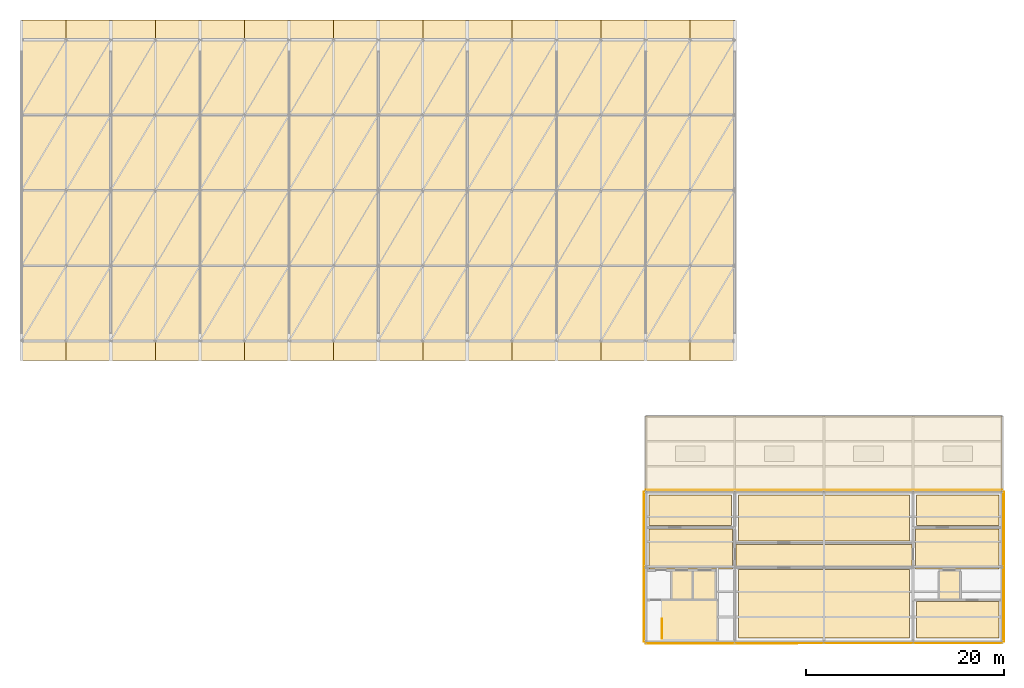
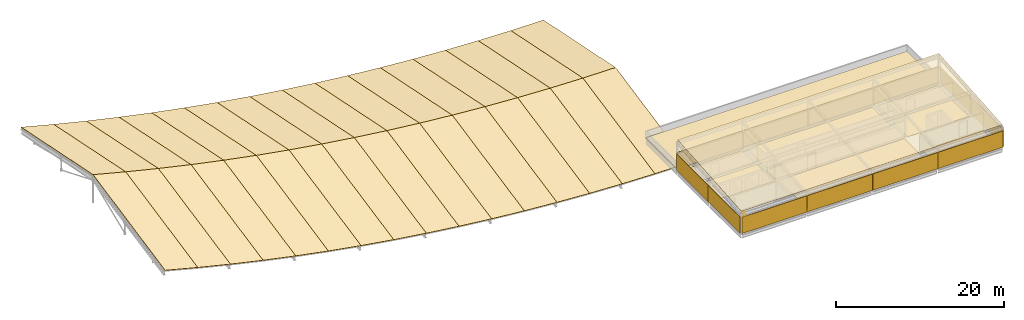
# One storey, part 21 of 21: 54 coverings, 1 railing, 1 element without a shape of its own.
"""IFC4 building model written with IfcOpenShell, lengths in metres."""

import ifcopenshell
import ifcopenshell.guid

model = None  # the IFC model being written
_history = None  # IfcOwnerHistory: only IFC2X3 demands one
_inside = {}  # id of a spatial element -> (the spatial element, [elements in it])
_under = {}  # id of a project, library or spatial element -> (it, [spatial elements below it])
_declared = {}  # id of a project -> (the project, [libraries it declares])
_typed = {}  # id of a type object -> (the type object, [elements of that type])
_made_of = {}  # id of a material, layer set ... -> (it, [elements and type objects made of it])


def new_model(schema):
    """Start an empty IFC model of exactly this schema.

    Asked for "IFC4X3", IfcOpenShell would pick the latest addendum, in which some entities
    have other attributes; the version numbers below select the first issue.
    IFC2X3 requires an IfcOwnerHistory on every rooted entity: one is made here for all.
    """
    global model, _history
    if schema == "IFC4X3":
        model = ifcopenshell.file(schema_version=(4, 3, 0, 0))
    else:
        model = ifcopenshell.file(schema=schema)
    _inside.clear()
    _under.clear()
    _declared.clear()
    _typed.clear()
    _made_of.clear()
    _history = None
    if model.schema == "IFC2X3":
        org = make("IfcOrganization", Name="unknown")
        user = make(
            "IfcPersonAndOrganization",
            ThePerson=make("IfcPerson", FamilyName="unknown"),
            TheOrganization=org,
        )
        app = make(
            "IfcApplication",
            ApplicationDeveloper=org,
            Version="unknown",
            ApplicationFullName="unknown",
            ApplicationIdentifier="unknown",
        )
        _history = make(
            "IfcOwnerHistory",
            OwningUser=user,
            OwningApplication=app,
            ChangeAction="ADDED",
            CreationDate=0,
        )
    return model


def make(cls, **values):
    """One entity of the class cls with the attributes given. An attribute that is None is left unset."""
    return model.create_entity(
        cls, **{name: value for name, value in values.items() if value is not None}
    )


def rooted(cls, **values):
    """An entity with a GlobalId (a new one), such as an element, a storey or a relation."""
    return make(cls, GlobalId=ifcopenshell.guid.new(), OwnerHistory=_history, **values)


def si_unit(unit_type, name, prefix=None):
    """IfcSIUnit, for example si_unit("LENGTHUNIT", "METRE", prefix="MILLI")."""
    return make("IfcSIUnit", UnitType=unit_type, Prefix=prefix, Name=name)


def assignment(units):
    """IfcUnitAssignment: the units of a project."""
    return None if units is None else make("IfcUnitAssignment", Units=units)


def point(xyz):
    """IfcCartesianPoint."""
    return None if xyz is None else make("IfcCartesianPoint", Coordinates=xyz)


def direction(xyz):
    """IfcDirection."""
    return None if xyz is None else make("IfcDirection", DirectionRatios=xyz)


def frame(location, z_axis=None, x_axis=None):
    """IfcAxis2Placement3D, a coordinate frame: its origin and axes. An axis left out is left unset."""
    return make(
        "IfcAxis2Placement3D",
        Location=point(location),
        Axis=direction(z_axis),
        RefDirection=direction(x_axis),
    )


def frame_2d(location, x_axis=None):
    """IfcAxis2Placement2D, a coordinate frame in the plane: its origin and x axis."""
    return make(
        "IfcAxis2Placement2D", Location=point(location), RefDirection=direction(x_axis)
    )


def origin():
    """The frame at (0, 0, 0) with its axes left unset."""
    return frame((0.0, 0.0, 0.0))


def origin_2d():
    """The frame at (0, 0) in the plane with its x axis left unset."""
    return frame_2d((0.0, 0.0))


def place(relative_to, where):
    """IfcLocalPlacement: puts the frame where relative to a parent placement (None: the world)."""
    return make(
        "IfcLocalPlacement", PlacementRelTo=relative_to, RelativePlacement=where
    )


def context(
    kind, dimensions, precision=None, world=None, true_north=None, identifier=None
):
    """IfcGeometricRepresentationContext, for example the 3D "Model" context."""
    return make(
        "IfcGeometricRepresentationContext",
        ContextIdentifier=identifier,
        ContextType=kind,
        CoordinateSpaceDimension=dimensions,
        Precision=precision,
        WorldCoordinateSystem=world,
        TrueNorth=true_north,
    )


def subcontext(parent, identifier, kind, view, scale=None):
    """IfcGeometricRepresentationSubContext, for example "Body" below "Model"."""
    return make(
        "IfcGeometricRepresentationSubContext",
        ContextIdentifier=identifier,
        ContextType=kind,
        ParentContext=parent,
        TargetScale=scale,
        TargetView=view,
    )


def project(units=None, contexts=None):
    """IfcProject with its units and contexts."""
    return rooted(
        "IfcProject",
        Name="project",
        RepresentationContexts=contexts,
        UnitsInContext=assignment(units),
    )


def spatial(cls, under=None, at=None, **own):
    """A site, building, storey or space (cls), placed at a placement, below another one or the project."""
    s = rooted(cls, ObjectPlacement=at, **own)
    if under is not None:
        _under.setdefault(under.id(), (under, []))[1].append(s)
    return s


def polyline(points):
    """IfcPolyline through the points."""
    return make("IfcPolyline", Points=[point(p) for p in points])


def profile(cls, at=None, kind="AREA", **sizes):
    """A parametric profile (cls). Its sizes go by their IFC names, for example OverallWidth=200.0."""
    return make(cls, ProfileType=kind, Position=at, **sizes)


def rectangle(**sizes):
    """IfcRectangleProfileDef."""
    return profile("IfcRectangleProfileDef", **sizes)


def circle(**sizes):
    """IfcCircleProfileDef."""
    return profile("IfcCircleProfileDef", **sizes)


def outline(outer, holes=None, kind="AREA"):
    """IfcArbitraryClosedProfileDef: a profile drawn as a closed curve; with holes, ...WithVoids."""
    if holes is None:
        return make("IfcArbitraryClosedProfileDef", ProfileType=kind, OuterCurve=outer)
    return make(
        "IfcArbitraryProfileDefWithVoids",
        ProfileType=kind,
        OuterCurve=outer,
        InnerCurves=holes,
    )


def extrude(swept, where, along, depth):
    """IfcExtrudedAreaSolid: the profile swept, set in the frame where, extruded along a direction by depth."""
    return make(
        "IfcExtrudedAreaSolid",
        SweptArea=swept,
        Position=where,
        ExtrudedDirection=direction(along),
        Depth=depth,
    )


def shape(context_of_items, identifier, shape_type, items):
    """IfcShapeRepresentation: the items that make up one representation, for example the "Body"."""
    return make(
        "IfcShapeRepresentation",
        ContextOfItems=context_of_items,
        RepresentationIdentifier=identifier,
        RepresentationType=shape_type,
        Items=items,
    )


def material(Name=None, Category=None):
    """IfcMaterial."""
    return make("IfcMaterial", Name=Name, Category=Category)


def layer(
    of_material, thickness, ventilated=None, Name=None, Category=None, Priority=None
):
    """IfcMaterialLayer: one layer of a wall or slab, of a material (None: an air gap)."""
    return make(
        "IfcMaterialLayer",
        Material=of_material,
        LayerThickness=thickness,
        IsVentilated=ventilated,
        Name=Name,
        Category=Category,
        Priority=Priority,
    )


def layer_set(layers, Name=None):
    """IfcMaterialLayerSet."""
    return make("IfcMaterialLayerSet", MaterialLayers=layers, LayerSetName=Name)


def made_of(thing, what):
    """Note that an element or type object is made of a material, layer set ...; save() writes the relation."""
    if what is not None:
        _made_of.setdefault(what.id(), (what, []))[1].append(thing)
    return thing


def type_object(cls, material=None, **own):
    """A type object (cls), such as IfcWallType, which elements share."""
    return made_of(rooted(cls, **own), material)


def element(
    cls,
    number,
    at=None,
    inside=None,
    cuts=None,
    type_object=None,
    material=None,
    context=None,
    identifier="Body",
    shape_type=None,
    held_by="IfcProductDefinitionShape",
    body=None,
    shapes=None,
    **own,
):
    """One element of the class cls, such as IfcWall. Its Tag is "e" and its number.

    at: its placement. inside: the storey or other place that contains it. cuts: it is an
    opening in that element (IfcRelVoidsElement). A single representation is given by context,
    identifier, shape_type and body (its items); several are given by shapes. held_by: the class
    of the entity that holds the representations. save() writes the other relations.
    """
    e = rooted(cls, Tag="e%d" % number, ObjectPlacement=at, **own)
    if body is not None:
        shapes = [shape(context, identifier, shape_type, body)]
    if shapes is not None:
        e.Representation = make(held_by, Representations=shapes)
    if inside is not None:
        _inside.setdefault(inside.id(), (inside, []))[1].append(e)
    if cuts is not None:
        rooted(
            "IfcRelVoidsElement", RelatingBuildingElement=cuts, RelatedOpeningElement=e
        )
    if type_object is not None:
        _typed.setdefault(type_object.id(), (type_object, []))[1].append(e)
    return made_of(e, material)


def aggregate(whole, parts):
    """IfcRelAggregates: a whole, such as a stair, and the parts it consists of."""
    return rooted("IfcRelAggregates", RelatingObject=whole, RelatedObjects=parts)


def save(model, path):
    """Write the relations noted so far, then the file.

    IfcRelAggregates (storeys below a building ...), IfcRelContainedInSpatialStructure (elements
    in a storey), IfcRelDefinesByType, IfcRelAssociatesMaterial and IfcRelDeclares: one each for
    every whole, place, type object, material and project.
    """
    for whole, parts in _under.values():
        aggregate(whole, parts)
    for where, things in _inside.values():
        rooted(
            "IfcRelContainedInSpatialStructure",
            RelatedElements=things,
            RelatingStructure=where,
        )
    for kind, things in _typed.values():
        rooted("IfcRelDefinesByType", RelatedObjects=things, RelatingType=kind)
    for what, things in _made_of.values():
        rooted("IfcRelAssociatesMaterial", RelatedObjects=things, RelatingMaterial=what)
    for by, libraries in _declared.values():
        rooted("IfcRelDeclares", RelatingContext=by, RelatedDefinitions=libraries)
    model.write(path)


model = new_model("IFC4")

# Units and contexts
model_context = context("Model", 3, precision=1e-05, world=origin(), true_north=direction((0.0, 1.0)))
body_context = subcontext(model_context, "Body", "Model", "MODEL_VIEW")
ifc_project = project(units=[si_unit("LENGTHUNIT", "METRE"), si_unit("AREAUNIT", "SQUARE_METRE"), si_unit("VOLUMEUNIT", "CUBIC_METRE"), si_unit("PLANEANGLEUNIT", "RADIAN"), si_unit("MASSUNIT", "GRAM", prefix="KILO")], contexts=[model_context])

# Site, building, storey
site_placement = place(None, origin())
site = spatial("IfcSite", under=ifc_project, at=site_placement, CompositionType="ELEMENT")
building_placement = place(site_placement, origin())
building = spatial("IfcBuilding", under=site, at=building_placement, Name="Caisbarro Railhouse Central Library", CompositionType="ELEMENT")
storey_placement = place(building_placement, frame((0.0, 0.0, 26.639892578125)))
storey = spatial("IfcBuildingStorey", under=building, at=storey_placement, Name="RF", CompositionType="ELEMENT", Elevation=26.639892578125)

# Coverings
ifc_material_1 = material(Name="Extruded architectural terracotta rainscreen", Category="masonry")
ifc_layer_1 = layer(ifc_material_1, 0.054931640625, Name="Extruded architectural terracotta rainscreen")
ifc_layer_set_1 = layer_set([ifc_layer_1], Name="Extruded architectural terracotta rainscreen")
covering_type_1 = type_object("IfcCoveringType", Name="CLD-TER01", PredefinedType="CLADDING", material=ifc_layer_set_1)
for number, where, z_axis, x_axis, name in (
    (1, (67.5, -0.151611328125, 0.0302734375), (0.0, 0.0, 1.0), (1.0, 0.0, 0.0), "TER01 facade cladding RF-069"),
    (2, (76.5, -0.151611328125, 0.0302734375), (0.0, 0.0, 1.0), (1.0, 0.0, 0.0), "TER01 facade cladding RF-070"),
    (3, (85.5, -0.151611328125, 0.0302734375), (0.0, 0.0, 1.0), (1.0, 0.0, 0.0), "TER01 facade cladding RF-071"),
    (4, (94.5, -0.151611328125, 0.0302734375), (0.0, 0.0, 1.0), (1.0, 0.0, 0.0), "TER01 facade cladding RF-072"),
):
    element("IfcCovering", number, at=place(storey_placement, frame(where, z_axis=z_axis, x_axis=x_axis)), inside=storey, type_object=covering_type_1, Name=name, PredefinedType="CLADDING", context=body_context, shape_type="SweptSolid", body=[
        extrude(rectangle(XDim=8.9599609375, YDim=0.054931640625, at=origin_2d()), origin(), (0.0, 0.0, 1.0), 2.3798828125),
    ])
for number, where, z_axis, x_axis, name in (
    (5, (99.151611328125, 3.800048828125, 0.0302734375), (0.0, 0.0, 1.0), (0.0, 1.0, 0.0), "TER01 facade cladding RF-073"),
    (6, (99.151611328125, 11.39990234375, 0.0302734375), (0.0, 0.0, 1.0), (0.0, 1.0, 0.0), "TER01 facade cladding RF-074"),
):
    element("IfcCovering", number, at=place(storey_placement, frame(where, z_axis=z_axis, x_axis=x_axis)), inside=storey, type_object=covering_type_1, Name=name, PredefinedType="CLADDING", context=body_context, shape_type="SweptSolid", body=[
        extrude(rectangle(XDim=7.56005859375, YDim=0.054931640625, at=origin_2d()), origin(), (0.0, 0.0, 1.0), 2.3798828125),
    ])
for number, where, z_axis, x_axis, name in (
    (7, (94.5, 15.3515625, 0.0302734375), (0.0, 0.0, 1.0), (-1.0, 0.0, 0.0), "TER01 facade cladding RF-075"),
    (8, (85.5, 15.3515625, 0.0302734375), (0.0, 0.0, 1.0), (-1.0, 0.0, 0.0), "TER01 facade cladding RF-076"),
    (9, (76.5, 15.3515625, 0.0302734375), (0.0, 0.0, 1.0), (-1.0, 0.0, 0.0), "TER01 facade cladding RF-077"),
    (10, (67.5, 15.3515625, 0.0302734375), (0.0, 0.0, 1.0), (-1.0, 0.0, 0.0), "TER01 facade cladding RF-078"),
):
    element("IfcCovering", number, at=place(storey_placement, frame(where, z_axis=z_axis, x_axis=x_axis)), inside=storey, type_object=covering_type_1, Name=name, PredefinedType="CLADDING", context=body_context, shape_type="SweptSolid", body=[
        extrude(rectangle(XDim=8.9599609375, YDim=0.054931640625, at=origin_2d()), origin(), (0.0, 0.0, 1.0), 2.3798828125),
    ])
for number, where, z_axis, x_axis, name in (
    (11, (62.848388671875, 11.39990234375, 0.0302734375), (0.0, 0.0, 1.0), (0.0, -1.0, 0.0), "TER01 facade cladding RF-079"),
    (12, (62.848388671875, 3.800048828125, 0.0302734375), (0.0, 0.0, 1.0), (0.0, -1.0, 0.0), "TER01 facade cladding RF-080"),
):
    element("IfcCovering", number, at=place(storey_placement, frame(where, z_axis=z_axis, x_axis=x_axis)), inside=storey, type_object=covering_type_1, Name=name, PredefinedType="CLADDING", context=body_context, shape_type="SweptSolid", body=[
        extrude(rectangle(XDim=7.56005859375, YDim=0.054931640625, at=origin_2d()), origin(), (0.0, 0.0, 1.0), 2.3798828125),
    ])
ifc_material_2 = material(Name="Polished cementitious terrazzo flooring")
ifc_layer_2 = layer(ifc_material_2, 0.02197265625, Name="Polished cementitious terrazzo flooring")
ifc_layer_set_2 = layer_set([ifc_layer_2], Name="Polished cementitious terrazzo flooring")
covering_type_2 = type_object("IfcCoveringType", Name="COV-FL01", PredefinedType="FLOORING", material=ifc_layer_set_2)
covering_1_placement = place(storey_placement, origin())
element("IfcCovering", 13, at=covering_1_placement, inside=storey, type_object=covering_type_2, Name="FL01 flooring Firefighting Lift Lobby K1", PredefinedType="FLOORING", context=body_context, shape_type="SweptSolid", body=[
    extrude(outline(polyline([(63.35009765625, 7.39990234375), (71.75, 7.39990234375), (71.75, 11.39990234375), (63.35009765625, 11.39990234375), (63.35009765625, 7.39990234375)])), origin(), (0.0, 0.0, 1.0), 0.022216796875),
])
covering_2_placement = place(storey_placement, origin())
element("IfcCovering", 14, at=covering_2_placement, inside=storey, type_object=covering_type_2, Name="FL01 flooring Firefighting Lift Lobby K2", PredefinedType="FLOORING", context=body_context, shape_type="SweptSolid", body=[
    extrude(outline(polyline([(90.25, 7.39990234375), (98.64990234375, 7.39990234375), (98.64990234375, 11.39990234375), (90.25, 11.39990234375), (90.25, 7.39990234375)])), origin(), (0.0, 0.0, 1.0), 0.022216796875),
])
covering_3_placement = place(storey_placement, origin())
element("IfcCovering", 15, at=covering_3_placement, inside=storey, type_object=covering_type_2, Name="FL01 flooring Headhouse Spine Corridor RF", PredefinedType="FLOORING", context=body_context, shape_type="SweptSolid", body=[
    extrude(outline(polyline([(72.10009765625, 7.64990234375), (89.89990234375, 7.64990234375), (89.89990234375, 9.85009765625), (72.10009765625, 9.85009765625), (72.10009765625, 7.64990234375)])), origin(), (0.0, 0.0, 1.0), 0.022216796875),
])
ifc_material_3 = material(Name="Heavy-duty acoustic linoleum flooring")
ifc_layer_3 = layer(ifc_material_3, 0.011962890625, Name="Heavy-duty acoustic linoleum flooring")
ifc_layer_set_3 = layer_set([ifc_layer_3], Name="Heavy-duty acoustic linoleum flooring")
covering_type_3 = type_object("IfcCoveringType", Name="COV-FL02", PredefinedType="FLOORING", material=ifc_layer_set_3)
covering_4_placement = place(storey_placement, origin())
element("IfcCovering", 16, at=covering_4_placement, inside=storey, type_object=covering_type_3, Name="FL02 flooring Roof Maintenance Headhouse", PredefinedType="FLOORING", context=body_context, shape_type="SweptSolid", body=[
    extrude(outline(polyline([(63.35009765625, 11.75), (71.64990234375, 11.75), (71.64990234375, 14.85009765625), (63.35009765625, 14.85009765625), (63.35009765625, 11.75)])), origin(), (0.0, 0.0, 1.0), 0.01220703125),
])
covering_5_placement = place(storey_placement, origin())
element("IfcCovering", 17, at=covering_5_placement, inside=storey, type_object=covering_type_3, Name="FL02 flooring Archive Climate Monitoring Laboratory", PredefinedType="FLOORING", context=body_context, shape_type="SweptSolid", body=[
    extrude(outline(polyline([(72.35009765625, 0.39990234375), (89.64990234375, 0.39990234375), (89.64990234375, 7.300048828125), (72.35009765625, 7.300048828125), (72.35009765625, 0.39990234375)])), origin(), (0.0, 0.0, 1.0), 0.01220703125),
])
covering_6_placement = place(storey_placement, origin())
element("IfcCovering", 18, at=covering_6_placement, inside=storey, type_object=covering_type_3, Name="FL02 flooring Solar Telemetry and Weather Workshop", PredefinedType="FLOORING", context=body_context, shape_type="SweptSolid", body=[
    extrude(outline(polyline([(72.35009765625, 10.199951171875), (89.64990234375, 10.199951171875), (89.64990234375, 14.85009765625), (72.35009765625, 14.85009765625), (72.35009765625, 10.199951171875)])), origin(), (0.0, 0.0, 1.0), 0.01220703125),
])
covering_7_placement = place(storey_placement, origin())
element("IfcCovering", 19, at=covering_7_placement, inside=storey, type_object=covering_type_3, Name="FL02 flooring Conservation Rare-Prints Dry Studio", PredefinedType="FLOORING", context=body_context, shape_type="SweptSolid", body=[
    extrude(outline(polyline([(90.35009765625, 11.75), (98.64990234375, 11.75), (98.64990234375, 14.85009765625), (90.35009765625, 14.85009765625), (90.35009765625, 11.75)])), origin(), (0.0, 0.0, 1.0), 0.01220703125),
])
covering_8_placement = place(storey_placement, origin())
element("IfcCovering", 20, at=covering_8_placement, inside=storey, type_object=covering_type_3, Name="FL02 flooring Environmental Sensor Calibration Office", PredefinedType="FLOORING", context=body_context, shape_type="SweptSolid", body=[
    extrude(outline(polyline([(90.35009765625, 0.39990234375), (98.64990234375, 0.39990234375), (98.64990234375, 4.10009765625), (90.35009765625, 4.10009765625), (90.35009765625, 0.39990234375)])), origin(), (0.0, 0.0, 1.0), 0.01220703125),
])

# Roof, coverings
ifc_material_4 = material(Name="Steel ASTM A572 Grade 50", Category="steel")
roof_type = type_object("IfcRoofType", Name="ROOF-GS", PredefinedType="BARREL_ROOF", material=ifc_material_4)
roof_placement = place(storey_placement, origin())
roof = element("IfcRoof", 21, at=roof_placement, inside=storey, type_object=roof_type, Name="Main Reading Hall Concave-Arc Steel Gridshell Roof", PredefinedType="BARREL_ROOF")
ifc_material_5 = material(Name="TPO waterproof membrane over PIR insulation")
ifc_layer_4 = layer(ifc_material_5, 0.080078125, Name="TPO waterproof membrane over PIR insulation")
ifc_layer_set_4 = layer_set([ifc_layer_4], Name="TPO waterproof membrane over PIR insulation")
covering_type_4 = type_object("IfcCoveringType", Name="COV-ROOF01", PredefinedType="ROOFING", material=ifc_layer_set_4)
covering_9_placement = place(storey_placement, frame((0.0, 28.39990234375, -0.587890625), z_axis=(0.245378894942, -0.193724248687, 0.949873735497), x_axis=(0.968215830455, 4.833062e-06, -0.25011618427)))
covering_9 = element("IfcCovering", 22, at=covering_9_placement, type_object=covering_type_4, Name="V1 Gridshell South Roof Membrane 1", PredefinedType="ROOFING", context=body_context, shape_type="SweptSolid", body=[
    extrude(outline(polyline([(0.0, 0.0), (4.647694663146566, 0.0), (3.770417115115219, 17.532308787309745), (-0.8773386115528973, 17.532354580295646), (0.0, 0.0)])), origin(), (0.0, 0.0, -1.0), 0.06005859375),
])
covering_10_placement = place(storey_placement, frame((0.0, 45.60009765625, 2.920166015625), z_axis=(0.245378764228, 0.193726895261, 0.949873229499), x_axis=(0.968215353047, 4.833062e-06, -0.250118032337)))
covering_10 = element("IfcCovering", 23, at=covering_10_placement, type_object=covering_type_4, Name="V1 Gridshell North Roof Membrane 1", PredefinedType="ROOFING", context=body_context, shape_type="SweptSolid", body=[
    extrude(outline(polyline([(0.0, 0.0), (4.647755726893711, -2.7755575615628914e-17), (5.5252060156236595, 17.53206062696007), (0.877511352702688, 17.532106419969924), (0.0, 0.0)])), origin(), (0.0, 0.0, -1.0), 0.06005859375),
])
covering_11_placement = place(storey_placement, frame((4.5, 28.39990234375, -1.750244140625), z_axis=(0.230425306021, -0.194456192227, 0.953462619954), x_axis=(0.972017031868, -4.88871e-06, -0.234910386604)))
covering_11 = element("IfcCovering", 24, at=covering_11_placement, type_object=covering_type_4, Name="V1 Gridshell South Roof Membrane 2", PredefinedType="ROOFING", context=body_context, shape_type="SweptSolid", body=[
    extrude(outline(polyline([(0.0, 0.0), (4.629576099539437, 5.551115123125783e-17), (3.805413071093438, 17.5349347153326), (-0.8241056772773957, 17.53488856943311), (0.0, 0.0)])), origin(), (0.0, 0.0, -1.0), 0.06005859375),
])
covering_12_placement = place(storey_placement, frame((4.5, 45.60009765625, 1.757568359375), z_axis=(0.230425182344, 0.194458848017, 0.953462108198), x_axis=(0.972017487197, -4.888835e-06, -0.234908502526)))
covering_12 = element("IfcCovering", 25, at=covering_12_placement, type_object=covering_type_4, Name="V1 Gridshell North Roof Membrane 2", PredefinedType="ROOFING", context=body_context, shape_type="SweptSolid", body=[
    extrude(outline(polyline([(0.0, 0.0), (4.62951874860082, -2.7755575615628914e-17), (5.453506993107395, 17.534703449676183), (0.8239308937979523, 17.53465730257479), (0.0, 0.0)])), origin(), (0.0, 0.0, -1.0), 0.06005859375),
])
covering_13_placement = place(storey_placement, frame((9.0, 28.39990234375, -2.837890625), z_axis=(0.215281643402, -0.195154533617, 0.956853448561), x_axis=(0.975612023139, 0.0, -0.219502119138)))
covering_13 = element("IfcCovering", 26, at=covering_13_placement, type_object=covering_type_4, Name="V1 Gridshell South Roof Membrane 3", PredefinedType="ROOFING", context=body_context, shape_type="SweptSolid", body=[
    extrude(outline(polyline([(0.0, 0.0), (4.612489281877093, -2.7755575615628914e-17), (3.8424634152025052, 17.537395483555482), (-0.7700258666745882, 17.537395483555485), (0.0, 0.0)])), origin(), (0.0, 0.0, -1.0), 0.06005859375),
])
covering_14_placement = place(storey_placement, frame((9.0, 45.60009765625, 0.670166015625), z_axis=(0.215281527021, 0.19515719819, 0.95685293129), x_axis=(0.975612023139, 0.0, -0.219502119138)))
covering_14 = element("IfcCovering", 27, at=covering_14_placement, type_object=covering_type_4, Name="V1 Gridshell North Roof Membrane 3", PredefinedType="ROOFING", context=body_context, shape_type="SweptSolid", body=[
    extrude(outline(polyline([(0.0, 0.0), (4.612489281877093, 2.7755575615628914e-17), (5.382515148551682, 17.537156037207673), (0.7700258666745882, 17.53715603720767), (0.0, 0.0)])), origin(), (0.0, 0.0, -1.0), 0.06005859375),
])
covering_15_placement = place(storey_placement, frame((13.5, 28.39990234375, -3.850341796875), z_axis=(0.200006381712, -0.195802534411, 0.960030632216), x_axis=(0.978980419738, 0.0, -0.203954254112)))
covering_15 = element("IfcCovering", 28, at=covering_15_placement, type_object=covering_type_4, Name="V1 Gridshell South Roof Membrane 4", PredefinedType="ROOFING", context=body_context, shape_type="SweptSolid", body=[
    extrude(outline(polyline([(0.0, 0.0), (4.5966190020492235, 0.0), (3.8811359265278997, 17.539705360998024), (-0.715483075521324, 17.539705360998024), (0.0, 0.0)])), origin(), (0.0, 0.0, -1.0), 0.06005859375),
])
covering_16_placement = place(storey_placement, frame((13.5, 45.60009765625, -0.34228515625), z_axis=(0.20000627287, 0.195805207128, 0.960030109775), x_axis=(0.978980419738, 0.0, -0.203954254112)))
covering_16 = element("IfcCovering", 29, at=covering_16_placement, type_object=covering_type_4, Name="V1 Gridshell North Roof Membrane 4", PredefinedType="ROOFING", context=body_context, shape_type="SweptSolid", body=[
    extrude(outline(polyline([(0.0, 0.0), (4.5966190020492235, 2.7755575615628914e-17), (5.312102077570548, 17.539465946184333), (0.715483075521324, 17.539465946184333), (0.0, 0.0)])), origin(), (0.0, 0.0, -1.0), 0.06005859375),
])
covering_17_placement = place(storey_placement, frame((18.0, 28.39990234375, -4.787841796875), z_axis=(0.184583884919, -0.196406485737, 0.9629918389), x_axis=(0.982121041716, 0.0, -0.188250523024)))
covering_17 = element("IfcCovering", 30, at=covering_17_placement, type_object=covering_type_4, Name="V1 Gridshell South Roof Membrane 5", PredefinedType="ROOFING", context=body_context, shape_type="SweptSolid", body=[
    extrude(outline(polyline([(0.0, 0.0), (4.58191995574997, 0.0), (3.9215264583537586, 17.54186593867873), (-0.6603934973962117, 17.54186593867873), (0.0, 0.0)])), origin(), (0.0, 0.0, -1.0), 0.06005859375),
])
covering_18_placement = place(storey_placement, frame((18.0, 45.60009765625, -1.27978515625), z_axis=(0.18458378385, 0.196409166038, 0.96299131161), x_axis=(0.982121041716, 0.0, -0.188250523024)))
covering_18 = element("IfcCovering", 31, at=covering_18_placement, type_object=covering_type_4, Name="V1 Gridshell North Roof Membrane 5", PredefinedType="ROOFING", context=body_context, shape_type="SweptSolid", body=[
    extrude(outline(polyline([(0.0, 0.0), (4.58191995574997, -2.7755575615628914e-17), (5.242313453146182, 17.54162655335343), (0.6603934973962117, 17.54162655335343), (0.0, 0.0)])), origin(), (0.0, 0.0, -1.0), 0.06005859375),
])
covering_19_placement = place(storey_placement, frame((22.5, 28.39990234375, -5.650390625), z_axis=(0.168998602185, -0.196959364316, 0.965736237939), x_axis=(0.985031550569, 5.082586e-06, -0.172374140631)))
covering_19 = element("IfcCovering", 32, at=covering_19_placement, type_object=covering_type_4, Name="V1 Gridshell South Roof Membrane 6", PredefinedType="ROOFING", context=body_context, shape_type="SweptSolid", body=[
    extrude(outline(polyline([(0.0, 0.0), (4.5683613631880675, -5.551115123125783e-17), (3.963792619483563, 17.543829796926932), (-0.6046108272349315, 17.54387716314934), (0.0, 0.0)])), origin(), (0.0, 0.0, -1.0), 0.06005859375),
])
covering_20_placement = place(storey_placement, frame((22.5, 45.60009765625, -2.142333984375), z_axis=(0.168998509127, 0.196962051554, 0.965735706164), x_axis=(0.985031198553, 5.082606e-06, -0.172376152209)))
covering_20 = element("IfcCovering", 33, at=covering_20_placement, type_object=covering_type_4, Name="V1 Gridshell North Roof Membrane 6", PredefinedType="ROOFING", context=body_context, shape_type="SweptSolid", body=[
    extrude(outline(polyline([(0.0, 0.0), (4.568403446964048, 0.0), (5.173154088963049, 17.543584169067188), (0.6047927260205357, 17.5436315354995), (0.0, 0.0)])), origin(), (0.0, 0.0, -1.0), 0.06005859375),
])
covering_21_placement = place(storey_placement, frame((27.0, 28.39990234375, -6.437744140625), z_axis=(0.153310913931, -0.197471280607, 0.968246279107), x_axis=(0.98769514957, -5.122813e-06, -0.156391468722)))
covering_21 = element("IfcCovering", 34, at=covering_21_placement, type_object=covering_type_4, Name="V1 Gridshell South Roof Membrane 7", PredefinedType="ROOFING", context=body_context, shape_type="SweptSolid", body=[
    extrude(outline(polyline([(0.0, 0.0), (4.556080003437406, 0.0), (4.007361759667814, 17.545714247558138), (-0.548680062258673, 17.545666630214228), (0.0, 0.0)])), origin(), (0.0, 0.0, -1.0), 0.06005859375),
])
covering_22_placement = place(storey_placement, frame((27.0, 45.60009765625, -2.929931640625), z_axis=(0.153310829072, 0.197473974263, 0.968245743176), x_axis=(0.987695472344, -5.122923e-06, -0.156389430224)))
covering_22 = element("IfcCovering", 35, at=covering_22_placement, type_object=covering_type_4, Name="V1 Gridshell North Roof Membrane 7", PredefinedType="ROOFING", context=body_context, shape_type="SweptSolid", body=[
    extrude(outline(polyline([(0.0, 0.0), (4.556041822175325, 0.0), (5.104576687372325, 17.545480648771374), (0.5484966841837621, 17.545433030378874), (0.0, 0.0)])), origin(), (0.0, 0.0, -1.0), 0.06005859375),
])
covering_23_placement = place(storey_placement, frame((31.5, 28.39990234375, -7.150390625), z_axis=(0.137480437854, -0.19794280256, 0.970524485071), x_axis=(0.990115330681, 0.0, -0.140255595074)))
covering_23 = element("IfcCovering", 36, at=covering_23_placement, type_object=covering_type_4, Name="V1 Gridshell South Roof Membrane 8", PredefinedType="ROOFING", context=body_context, shape_type="SweptSolid", body=[
    extrude(outline(polyline([(0.0, 0.0), (4.544925081508475, 1.3877787807814457e-17), (4.0529005098233295, 17.54739559031021), (-0.4920245716851456, 17.54739559031021), (0.0, 0.0)])), origin(), (0.0, 0.0, -1.0), 0.06005859375),
])
covering_24_placement = place(storey_placement, frame((31.5, 45.60009765625, -3.642333984375), z_axis=(0.137480361393, 0.197945502124, 0.97052394531), x_axis=(0.990115330681, 0.0, -0.140255595074)))
covering_24 = element("IfcCovering", 37, at=covering_24_placement, type_object=covering_type_4, Name="V1 Gridshell North Roof Membrane 8", PredefinedType="ROOFING", context=body_context, shape_type="SweptSolid", body=[
    extrude(outline(polyline([(0.0, 0.0), (4.544925081508475, 0.0), (5.03694965319362, 17.54715628042263), (0.4920245716851456, 17.54715628042263), (0.0, 0.0)])), origin(), (0.0, 0.0, -1.0), 0.06005859375),
])
covering_25_placement = place(storey_placement, frame((36.0, 28.39990234375, -7.787841796875), z_axis=(0.121570115687, -0.198358143679, 0.972560925499), x_axis=(0.992277876714, 0.0, -0.124034734589)))
covering_25 = element("IfcCovering", 38, at=covering_25_placement, type_object=covering_type_4, Name="V1 Gridshell South Roof Membrane 9", PredefinedType="ROOFING", context=body_context, shape_type="SweptSolid", body=[
    extrude(outline(polyline([(0.0, 0.0), (4.535019983417935, 0.0), (4.099899109074102, 17.548898826042915), (-0.4351208743438321, 17.548898826042915), (0.0, 0.0)])), origin(), (0.0, 0.0, -1.0), 0.06005859375),
])
covering_26_placement = place(storey_placement, frame((36.0, 45.60009765625, -4.27978515625), z_axis=(0.121570047792, 0.198360848444, 0.972560382333), x_axis=(0.992277876714, 0.0, -0.124034734589)))
covering_26 = element("IfcCovering", 39, at=covering_26_placement, type_object=covering_type_4, Name="V1 Gridshell North Roof Membrane 9", PredefinedType="ROOFING", context=body_context, shape_type="SweptSolid", body=[
    extrude(outline(polyline([(0.0, 0.0), (4.535019983417935, 0.0), (4.970140857761767, 17.548659536654867), (0.4351208743438321, 17.548659536654863), (0.0, 0.0)])), origin(), (0.0, 0.0, -1.0), 0.06005859375),
])
covering_27_placement = place(storey_placement, frame((40.5, 28.39990234375, -8.350341796875), z_axis=(0.105565537401, -0.198723751939, 0.974353522972), x_axis=(0.994181940385, 0.0, -0.107713831106)))
covering_27 = element("IfcCovering", 40, at=covering_27_placement, type_object=covering_type_4, Name="V1 Gridshell South Roof Membrane 10", PredefinedType="ROOFING", context=body_context, shape_type="SweptSolid", body=[
    extrude(outline(polyline([(0.0, 0.0), (4.52633448386286, 1.3877787807814457e-17), (4.148468263363575, 17.550224992899256), (-0.37786622049928553, 17.55022499289926), (0.0, 0.0)])), origin(), (0.0, 0.0, -1.0), 0.06005859375),
])
covering_28_placement = place(storey_placement, frame((40.5, 45.60009765625, -4.84228515625), z_axis=(0.105565478226, 0.19872646128, 0.974352976798), x_axis=(0.994181940385, 0.0, -0.107713831106)))
covering_28 = element("IfcCovering", 41, at=covering_28_placement, type_object=covering_type_4, Name="V1 Gridshell North Roof Membrane 10", PredefinedType="ROOFING", context=body_context, shape_type="SweptSolid", body=[
    extrude(outline(polyline([(0.0, 0.0), (4.52633448386286, -2.7755575615628914e-17), (4.904200704362146, 17.54998572159314), (0.37786622049928553, 17.54998572159314), (0.0, 0.0)])), origin(), (0.0, 0.0, -1.0), 0.06005859375),
])
covering_29_placement = place(storey_placement, frame((45.0, 28.39990234375, -8.837890625), z_axis=(0.089452369175, -0.199032601236, 0.975901786705), x_axis=(0.995825492926, 5.247013e-06, -0.091277530705)))
covering_29 = element("IfcCovering", 42, at=covering_29_placement, type_object=covering_type_4, Name="V1 Gridshell South Roof Membrane 11", PredefinedType="ROOFING", context=body_context, shape_type="SweptSolid", body=[
    extrude(outline(polyline([(0.0, 0.0), (4.518853328849772, -1.3877787807814457e-17), (4.198759115323955, 17.551324935843986), (-0.3201164980792118, 17.551373325054822), (0.0, 0.0)])), origin(), (0.0, 0.0, -1.0), 0.06005859375),
])
covering_30_placement = place(storey_placement, frame((45.0, 45.60009765625, -5.329833984375), z_axis=(0.089452318877, 0.19903531444, 0.975901237961), x_axis=(0.995825298382, 5.247056e-06, -0.091279653125)))
covering_30 = element("IfcCovering", 43, at=covering_30_placement, type_object=covering_type_4, Name="V1 Gridshell North Roof Membrane 11", PredefinedType="ROOFING", context=body_context, shape_type="SweptSolid", body=[
    extrude(outline(polyline([(0.0, 0.0), (4.51887561366225, 1.3877787807814457e-17), (4.8391577709936655, 17.551082250834103), (0.3203044424029792, 17.551130640465946), (0.0, 0.0)])), origin(), (0.0, 0.0, -1.0), 0.06005859375),
])
covering_31_placement = place(storey_placement, frame((49.5, 28.39990234375, -9.250244140625), z_axis=(0.073294880853, -0.199296224234, 0.977194389795), x_axis=(0.997198826231, -5.268154e-06, -0.074796396543)))
covering_31 = element("IfcCovering", 44, at=covering_31_placement, type_object=covering_type_4, Name="V1 Gridshell South Roof Membrane 12", PredefinedType="ROOFING", context=body_context, shape_type="SweptSolid", body=[
    extrude(outline(polyline([(0.0, 0.0), (4.512649458376037, 0.0), (4.2501688495027725, 17.55232987662084), (-0.2624623480342654, 17.552281356705127), (0.0, 0.0)])), origin(), (0.0, 0.0, -1.0), 0.06005859375),
])
covering_32_placement = place(storey_placement, frame((49.5, 45.60009765625, -5.742431640625), z_axis=(0.073294839531, 0.199298940736, 0.977193838867), x_axis=(0.997198986507, -5.268245e-06, -0.074794259679)))
covering_32 = element("IfcCovering", 45, at=covering_32_placement, type_object=covering_type_4, Name="V1 Gridshell North Roof Membrane 12", PredefinedType="ROOFING", context=body_context, shape_type="SweptSolid", body=[
    extrude(outline(polyline([(0.0, 0.0), (4.512631197797884, 0.0), (4.774923083596453, 17.55209345523013), (0.2622736254812644, 17.552044934456728), (0.0, 0.0)])), origin(), (0.0, 0.0, -1.0), 0.06005859375),
])
covering_33_placement = place(storey_placement, frame((54.0, 28.39990234375, -9.587890625), z_axis=(0.057052946489, -0.199514881346, 0.978232474118), x_axis=(0.998303570603, 0.0, -0.058223542665)))
covering_33 = element("IfcCovering", 46, at=covering_33_placement, type_object=covering_type_4, Name="V1 Gridshell South Roof Membrane 13", PredefinedType="ROOFING", context=body_context, shape_type="SweptSolid", body=[
    extrude(outline(polyline([(0.0, 0.0), (4.507646904718532, 0.0), (4.30339541923236, 17.553104042096283), (-0.20425148548617236, 17.553104042096283), (0.0, 0.0)])), origin(), (0.0, 0.0, -1.0), 0.06005859375),
])
covering_34_placement = place(storey_placement, frame((54.0, 45.60009765625, -6.079833984375), z_axis=(0.057052914252, 0.199517600581, 0.978231921394), x_axis=(0.998303570603, 0.0, -0.058223542665)))
covering_34 = element("IfcCovering", 47, at=covering_34_placement, type_object=covering_type_4, Name="V1 Gridshell North Roof Membrane 13", PredefinedType="ROOFING", context=body_context, shape_type="SweptSolid", body=[
    extrude(outline(polyline([(0.0, 0.0), (4.507646904718532, 6.938893903907228e-18), (4.711898390204705, 17.552864810035828), (0.20425148548617236, 17.552864810035828), (0.0, 0.0)])), origin(), (0.0, 0.0, -1.0), 0.06005859375),
])
covering_35_placement = place(storey_placement, frame((58.5, 28.39990234375, -9.850341796875), z_axis=(0.040792204379, -0.199674053728, 0.979012905089), x_axis=(0.999133073092, 0.0, -0.041630544712)))
covering_35 = element("IfcCovering", 48, at=covering_35_placement, type_object=covering_type_4, Name="V1 Gridshell South Roof Membrane 14", PredefinedType="ROOFING", context=body_context, shape_type="SweptSolid", body=[
    extrude(outline(polyline([(0.0, 0.0), (4.503904556049118, 6.938893903907228e-18), (4.357862247218715, 17.55368485036722), (-0.1460423088304037, 17.55368485036722), (0.0, 0.0)])), origin(), (0.0, 0.0, -1.0), 0.06005859375),
])
covering_36_placement = place(storey_placement, frame((58.5, 45.60009765625, -6.34228515625), z_axis=(0.040792181293, 0.199676774951, 0.979012351041), x_axis=(0.999133073092, 0.0, -0.041630544712)))
covering_36 = element("IfcCovering", 49, at=covering_36_placement, type_object=covering_type_4, Name="V1 Gridshell North Roof Membrane 14", PredefinedType="ROOFING", context=body_context, shape_type="SweptSolid", body=[
    extrude(outline(polyline([(0.0, 0.0), (4.503904556049118, 0.0), (4.649946864879522, 17.55344562622247), (0.1460423088304037, 17.55344562622247), (0.0, 0.0)])), origin(), (0.0, 0.0, -1.0), 0.06005859375),
])
covering_37_placement = place(storey_placement, frame((63.0, 28.39990234375, -10.037841796875), z_axis=(0.02449898795, -0.199780409407, 0.979534372856), x_axis=(0.999687375336, 0.0, -0.025003031686)))
covering_37 = element("IfcCovering", 50, at=covering_37_placement, type_object=covering_type_4, Name="V1 Gridshell South Roof Membrane 15", PredefinedType="ROOFING", context=body_context, shape_type="SweptSolid", body=[
    extrude(outline(polyline([(0.0, 0.0), (4.501407250928571, 0.0), (4.413695199587955, 17.55407322469716), (-0.08771205134061603, 17.55407322469716), (0.0, 0.0)])), origin(), (0.0, 0.0, -1.0), 0.06005859375),
])
covering_38_placement = place(storey_placement, frame((63.0, 45.60009765625, -6.52978515625), z_axis=(0.02449897407, 0.19978313196, 0.979533817922), x_axis=(0.999687375336, 0.0, -0.025003031686)))
covering_38 = element("IfcCovering", 51, at=covering_38_placement, type_object=covering_type_4, Name="V1 Gridshell North Roof Membrane 15", PredefinedType="ROOFING", context=body_context, shape_type="SweptSolid", body=[
    extrude(outline(polyline([(0.0, 0.0), (4.501407250928571, 0.0), (4.589119302269187, 17.55383400584519), (0.08771205134061603, 17.553834005845186), (0.0, 0.0)])), origin(), (0.0, 0.0, -1.0), 0.06005859375),
])
covering_39_placement = place(storey_placement, frame((67.5, 28.39990234375, -10.150390625), z_axis=(0.008159660978, -0.199827061794, 0.979797206215), x_axis=(0.999965333783, 5.310961e-06, -0.008326536133)))
covering_39 = element("IfcCovering", 52, at=covering_39_placement, type_object=covering_type_4, Name="V1 Gridshell South Roof Membrane 16", PredefinedType="ROOFING", context=body_context, shape_type="SweptSolid", body=[
    extrude(outline(polyline([(0.0, 0.0), (4.50015502742121, -2.6020852139652106e-18), (4.471038449453395, 17.554219422517356), (-0.029118610813551167, 17.554268206740474), (0.0, 0.0)])), origin(), (0.0, 0.0, -1.0), 0.06005859375),
])
covering_40_placement = place(storey_placement, frame((67.5, 45.60009765625, -6.642333984375), z_axis=(0.008159656354, 0.19982978493, 0.979796650874), x_axis=(0.999965315743, 5.311028e-06, -0.008328702324)))
covering_40 = element("IfcCovering", 53, at=covering_40_placement, type_object=covering_type_4, Name="V1 Gridshell North Roof Membrane 16", PredefinedType="ROOFING", context=body_context, shape_type="SweptSolid", body=[
    extrude(outline(polyline([(0.0, 0.0), (4.5001570605313725, 1.734723475976807e-18), (4.529463936068293, 17.553979888981917), (0.02930890891151204, 17.554028673847796), (0.0, 0.0)])), origin(), (0.0, 0.0, -1.0), 0.06005859375),
])
aggregate(roof, [covering_9, covering_10, covering_11, covering_12, covering_13, covering_14, covering_15, covering_16, covering_17, covering_18, covering_19, covering_20, covering_21, covering_22, covering_23, covering_24, covering_25, covering_26, covering_27, covering_28, covering_29, covering_30, covering_31, covering_32, covering_33, covering_34, covering_35, covering_36, covering_37, covering_38, covering_39, covering_40])

# Coverings
covering_41_placement = place(storey_placement, origin())
element("IfcCovering", 54, at=covering_41_placement, inside=storey, type_object=covering_type_4, Name="V5 Top Roof Waterproofing Membrane", PredefinedType="ROOFING", context=body_context, shape_type="SweptSolid", body=[
    extrude(outline(polyline([(63.0, 15.199951171875), (99.0, 15.199951171875), (99.0, 22.800048828125), (63.0, 22.800048828125), (63.0, 15.199951171875)])), origin(), (0.0, 0.0, 1.0), 0.080078125),
])
covering_42_placement = place(storey_placement, frame((63.0, 0.0, 3.18017578125), z_axis=(0.0, -0.078699554089, 0.99689838007), x_axis=(1.0, 0.0, 0.0)))
element("IfcCovering", 55, at=covering_42_placement, inside=storey, type_object=covering_type_4, Name="V5 Roof Maintenance Headhouse Waterproofing Membrane", PredefinedType="ROOFING", context=body_context, shape_type="SweptSolid", body=[
    extrude(outline(polyline([(0.0, 0.0), (36.0, 0.0), (36.0, 15.247242322540437), (0.0, 15.247242322540437), (0.0, 0.0)])), origin(), (0.0, 0.0, -1.0), 0.06005859375),
])

# Railing
ifc_material_6 = material(Name="Brushed stainless steel Grade 316", Category="steel")
railing_type = type_object("IfcRailingType", Name="RLG-STR110", PredefinedType="GUARDRAIL", material=ifc_material_6)
railing_placement = place(storey_placement, frame((64.64990234375, 0.35009765625, 0.0)))
element("IfcRailing", 56, at=railing_placement, inside=storey, type_object=railing_type, Name="Stair ST-01 Top Landing Guardrail RF", PredefinedType="GUARDRAIL", context=body_context, shape_type="SweptSolid", body=[
    extrude(circle(Radius=0.02392578125, at=origin_2d()), frame((0.0, 0.0, 1.076171875), z_axis=(0.0, 1.0, 0.0), x_axis=(-1.0, 0.0, 0.0)), (0.0, 0.0, 1.0), 1.969970703125),
    extrude(circle(Radius=0.02099609375, at=origin_2d()), origin(), (0.0, 0.0, 1.0), 1.052001953125),
    extrude(circle(Radius=0.02099609375, at=origin_2d()), frame((0.0, 0.98486328125, 0.0)), (0.0, 0.0, 1.0), 1.052001953125),
    extrude(circle(Radius=0.02099609375, at=origin_2d()), frame((0.0, 1.969970703125, 0.0)), (0.0, 0.0, 1.0), 1.052001953125),
])

save(model, "model.ifc")
